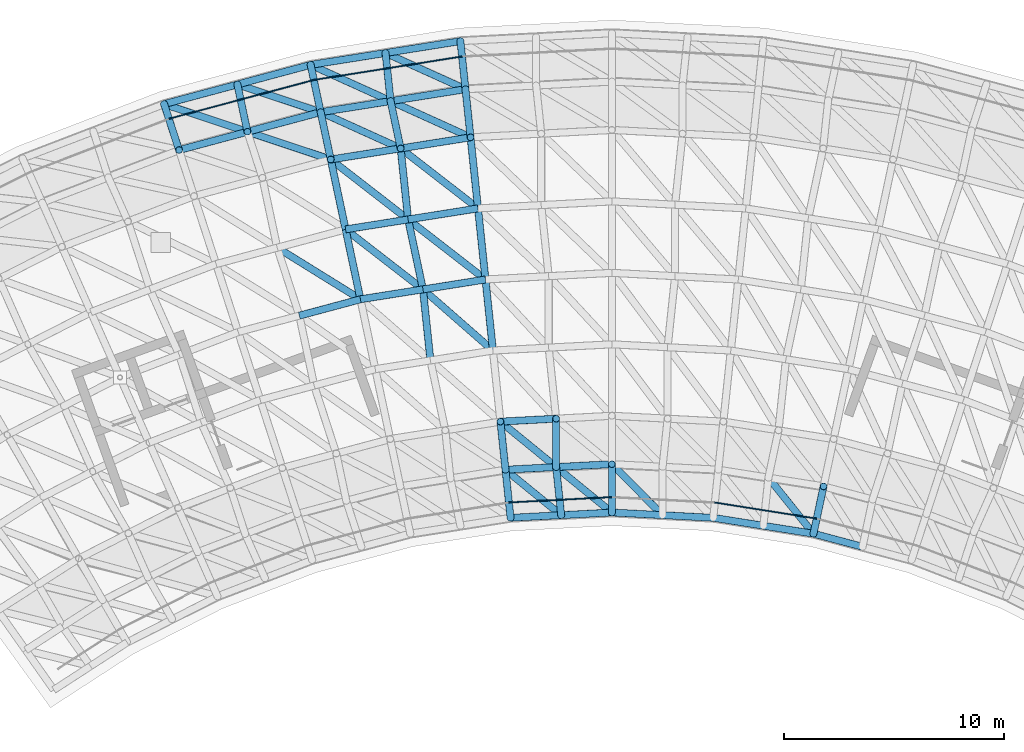
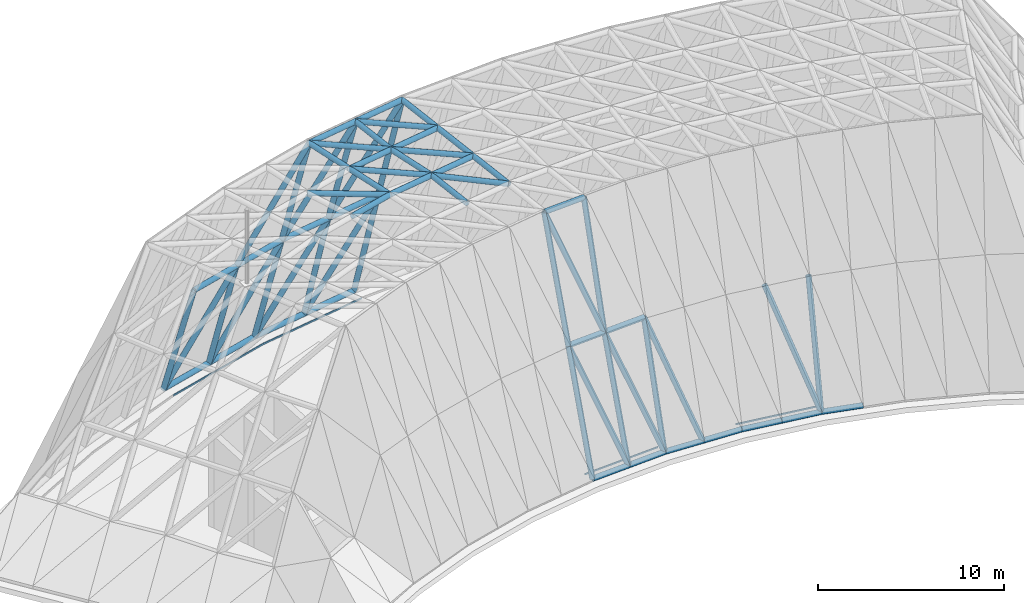
# One storey, part 5 of 20: 69 members.
"""IFC4 building model written with IfcOpenShell, lengths in metres."""

from ifc_helpers import new_model, si_unit, direction, frame, origin, origin_2d, place, context, subcontext, project, spatial, rectangle, hollow_circle, extrude, material, material_profile, profile_set, type_object, element, save


model = new_model("IFC4")

# Units and contexts
model_context = context("Model", 3, precision=1e-05, world=origin(), true_north=direction((0.0, 1.0)))
body_context = subcontext(model_context, "Body", "Model", "MODEL_VIEW")
ifc_project = project(units=[si_unit("LENGTHUNIT", "METRE"), si_unit("AREAUNIT", "SQUARE_METRE"), si_unit("VOLUMEUNIT", "CUBIC_METRE"), si_unit("PLANEANGLEUNIT", "RADIAN"), si_unit("MASSUNIT", "GRAM", prefix="KILO")], contexts=[model_context])

# Site, building, storey
site_placement = place(None, origin())
site = spatial("IfcSite", under=ifc_project, at=site_placement, CompositionType="ELEMENT")
building_placement = place(site_placement, origin())
building = spatial("IfcBuilding", under=site, at=building_placement, Name="Stone Belt Terrace Tower", CompositionType="ELEMENT")
storey_placement = place(building_placement, frame((0.0, 0.0, 337.39990234375)))
storey = spatial("IfcBuildingStorey", under=building, at=storey_placement, Name="RF", CompositionType="ELEMENT", Elevation=337.39990234375)

# Members
ifc_material_1 = material(Name="Structural steel C345", Category="steel")
ifc_material_profile_1 = material_profile(ifc_material_1, hollow_circle(Radius=0.16259765625, WallThickness=0.011962890625, at=origin_2d()), Name="Structural steel C345 CHS 325x12")
ifc_profile_set_1 = profile_set([ifc_material_profile_1], Name="Structural steel C345")
member_type_1 = type_object("IfcMemberType", Name="Crown frame tube CHS 325 x 12", PredefinedType="RAFTER", material=ifc_profile_set_1)
member_1_placement = place(storey_placement, frame((-20.364013671875, 62.673828125, 0.16259765625), z_axis=(0.086961927799, -0.267664065845, 0.959579892958), x_axis=(0.951064242649, 0.30899321409, 0.0)))
element("IfcMember", 1, at=member_1_placement, inside=storey, type_object=member_type_1, Name="CROWN FRAME rafter 132", PredefinedType="RAFTER", context=body_context, shape_type="SweptSolid", body=[
    extrude(hollow_circle(Radius=0.16259765625, WallThickness=0.011962890625, at=origin_2d()), origin(), (0.0, 0.0, 1.0), 7.81591796875),
])
member_2_placement = place(storey_placement, frame((-20.364013671875, 62.673828125, 0.16259765625), z_axis=(0.445929479166, -0.148154674565, 0.88272141246), x_axis=(0.31529200949, 0.94899470428, 0.0)))
element("IfcMember", 2, at=member_2_placement, inside=storey, type_object=member_type_1, Name="CROWN FRAME rafter 134", PredefinedType="RAFTER", context=body_context, shape_type="SweptSolid", body=[
    extrude(hollow_circle(Radius=0.16259765625, WallThickness=0.011962890625, at=origin_2d()), origin(), (0.0, 0.0, 1.0), 8.496337890625),
])
member_3_placement = place(storey_placement, frame((-17.032470703125, 63.56640625, 0.16259765625), z_axis=(0.058506176763, -0.275257036644, 0.959588761428), x_axis=(0.978148693799, 0.207906548285, 0.0)))
element("IfcMember", 3, at=member_3_placement, inside=storey, type_object=member_type_1, Name="CROWN FRAME rafter 176", PredefinedType="RAFTER", context=body_context, shape_type="SweptSolid", body=[
    extrude(hollow_circle(Radius=0.16259765625, WallThickness=0.011962890625, at=origin_2d()), origin(), (0.0, 0.0, 1.0), 7.81591796875),
])
for number, where, z_axis, x_axis, name in (
    (4, (-17.032470703125, 63.56640625, 0.16259765625), (0.445906458231, -0.148156572924, 0.882732723086), (0.315310307363, 0.948988624837, 0.0), "CROWN FRAME rafter 178"),
    (5, (-16.5751953125, 61.4150390625, 7.66259765625), (0.445904559725, -0.148184676795, 0.882728964734), (0.315365379853, 0.948970324715, 0.0), "CROWN FRAME rafter 180"),
):
    element("IfcMember", number, at=place(storey_placement, frame(where, z_axis=z_axis, x_axis=x_axis)), inside=storey, type_object=member_type_1, Name=name, PredefinedType="RAFTER", context=body_context, shape_type="SweptSolid", body=[
        extrude(hollow_circle(Radius=0.16259765625, WallThickness=0.011962890625, at=origin_2d()), origin(), (0.0, 0.0, 1.0), 8.496337890625),
    ])
member_4_placement = place(storey_placement, frame((-13.701171875, 64.459228515625, 0.16259765625), z_axis=(0.058505673699, -0.275285906198, 0.959580510428), x_axis=(0.978153491089, 0.207883976944, 0.0)))
element("IfcMember", 6, at=member_4_placement, inside=storey, type_object=member_type_1, Name="CROWN FRAME rafter 182", PredefinedType="RAFTER", context=body_context, shape_type="SweptSolid", body=[
    extrude(hollow_circle(Radius=0.16259765625, WallThickness=0.011962890625, at=origin_2d()), origin(), (0.0, 0.0, 1.0), 7.81591796875),
])
member_5_placement = place(storey_placement, frame((-13.701171875, 64.459228515625, 0.16259765625), z_axis=(0.427973374245, -0.193987394221, 0.882727410824), x_axis=(0.412839772126, 0.910803668499, 0.0)))
element("IfcMember", 7, at=member_5_placement, inside=storey, type_object=member_type_1, Name="CROWN FRAME rafter 184", PredefinedType="RAFTER", context=body_context, shape_type="SweptSolid", body=[
    extrude(hollow_circle(Radius=0.16259765625, WallThickness=0.011962890625, at=origin_2d()), origin(), (0.0, 0.0, 1.0), 8.496337890625),
])
member_6_placement = place(storey_placement, frame((-13.243896484375, 62.3076171875, 7.66259765625), z_axis=(0.058505673699, -0.275285906198, 0.959580510428), x_axis=(0.978153491089, 0.207883976944, 0.0)))
element("IfcMember", 8, at=member_6_placement, inside=storey, type_object=member_type_1, Name="CROWN FRAME rafter 185", PredefinedType="RAFTER", context=body_context, shape_type="SweptSolid", body=[
    extrude(hollow_circle(Radius=0.16259765625, WallThickness=0.011962890625, at=origin_2d()), origin(), (0.0, 0.0, 1.0), 7.81591796875),
])
member_7_placement = place(storey_placement, frame((-13.243896484375, 62.3076171875, 7.66259765625), z_axis=(0.427999230866, -0.193957355377, 0.88272147514), x_axis=(0.412766048965, 0.910837081383, 0.0)))
element("IfcMember", 9, at=member_7_placement, inside=storey, type_object=member_type_1, Name="CROWN FRAME rafter 187", PredefinedType="RAFTER", context=body_context, shape_type="SweptSolid", body=[
    extrude(hollow_circle(Radius=0.16259765625, WallThickness=0.011962890625, at=origin_2d()), origin(), (0.0, 0.0, 1.0), 8.496337890625),
])
member_8_placement = place(storey_placement, frame((-10.294677734375, 64.99853515625, 0.16259765625), z_axis=(0.029393544043, -0.279879016602, 0.959585199779), x_axis=(0.99453036095, 0.104447887238, 0.0)))
element("IfcMember", 10, at=member_8_placement, inside=storey, type_object=member_type_1, Name="CROWN FRAME rafter 226", PredefinedType="RAFTER", context=body_context, shape_type="SweptSolid", body=[
    extrude(hollow_circle(Radius=0.16259765625, WallThickness=0.011962890625, at=origin_2d()), origin(), (0.0, 0.0, 1.0), 7.81591796875),
])
for number, where, z_axis, x_axis, name in (
    (11, (-10.294677734375, 64.99853515625, 0.16259765625), (0.427975759678, -0.193959740689, 0.882732330959), (0.412789040426, 0.910826661942, 0.0), "CROWN FRAME rafter 228"),
    (12, (-10.06494140625, 62.81103515625, 7.66259765625), (0.427999230866, -0.193957355377, 0.88272147514), (0.412766048965, 0.910837081383, 0.0), "CROWN FRAME rafter 230"),
):
    element("IfcMember", number, at=place(storey_placement, frame(where, z_axis=z_axis, x_axis=x_axis)), inside=storey, type_object=member_type_1, Name=name, PredefinedType="RAFTER", context=body_context, shape_type="SweptSolid", body=[
        extrude(hollow_circle(Radius=0.16259765625, WallThickness=0.011962890625, at=origin_2d()), origin(), (0.0, 0.0, 1.0), 8.496337890625),
    ])
for number, where, z_axis, x_axis, name in (
    (13, (-10.06494140625, 62.81103515625, 7.66259765625), (0.058537306369, -0.275256533469, 0.959587007283), (0.978126114819, 0.208012748431, 0.0), "CROWN FRAME rafter 231"),
    (14, (-6.888427734375, 65.5380859375, 0.16259765625), (0.029424753509, -0.279878759495, 0.959584318267), (0.994518825066, 0.104557671117, 0.0), "CROWN FRAME rafter 232"),
    (15, (-6.658447265625, 63.3505859375, 7.66259765625), (0.029424753509, -0.279878759495, 0.959584318267), (0.994518825066, 0.104557671117, 0.0), "CROWN FRAME rafter 235"),
    (16, (-5.069580078125, 48.234375, 15.16259765625), (0.029424753509, -0.279878759495, -0.959584318267), (0.994518825066, 0.104557671117, 0.0), "CROWN FRAME rafter 263"),
):
    element("IfcMember", number, at=place(storey_placement, frame(where, z_axis=z_axis, x_axis=x_axis)), inside=storey, type_object=member_type_1, Name=name, PredefinedType="RAFTER", context=body_context, shape_type="SweptSolid", body=[
        extrude(hollow_circle(Radius=0.16259765625, WallThickness=0.011962890625, at=origin_2d()), origin(), (0.0, 0.0, 1.0), 7.81591796875),
    ])
member_9_placement = place(storey_placement, frame((-5.069580078125, 48.234375, 15.16259765625), z_axis=(0.309782464824, -0.252612054248, -0.916636228029), x_axis=(0.631968665743, 0.774993939021, 0.0)))
element("IfcMember", 17, at=member_9_placement, inside=storey, type_object=member_type_1, Name="CROWN FRAME rafter 265", PredefinedType="RAFTER", context=body_context, shape_type="SweptSolid", body=[
    extrude(hollow_circle(Radius=0.16259765625, WallThickness=0.011962890625, at=origin_2d()), origin(), (0.0, 0.0, 1.0), 8.18212890625),
])
member_10_placement = place(storey_placement, frame((-4.839599609375, 46.046875, 7.66259765625), z_axis=(0.02939328706, -0.279907805896, -0.959576810304), x_axis=(0.994531571653, 0.104436358545, 0.0)))
element("IfcMember", 18, at=member_10_placement, inside=storey, type_object=member_type_1, Name="CROWN FRAME rafter 271", PredefinedType="RAFTER", context=body_context, shape_type="SweptSolid", body=[
    extrude(hollow_circle(Radius=0.16259765625, WallThickness=0.011962890625, at=origin_2d()), origin(), (0.0, 0.0, 1.0), 7.81591796875),
])
member_11_placement = place(storey_placement, frame((-4.839599609375, 46.046875, 7.66259765625), z_axis=(0.309782464824, -0.252612054248, -0.916636228029), x_axis=(0.631968665743, 0.774993939021, 0.0)))
element("IfcMember", 19, at=member_11_placement, inside=storey, type_object=member_type_1, Name="CROWN FRAME rafter 273", PredefinedType="RAFTER", context=body_context, shape_type="SweptSolid", body=[
    extrude(hollow_circle(Radius=0.16259765625, WallThickness=0.011962890625, at=origin_2d()), origin(), (0.0, 0.0, 1.0), 8.18212890625),
])
member_12_placement = place(storey_placement, frame((-2.534912109375, 48.3671875, 15.16259765625), z_axis=(0.0, -0.281439053934, -0.959579105088), x_axis=(1.0, 0.0, 0.0)))
element("IfcMember", 20, at=member_12_placement, inside=storey, type_object=member_type_1, Name="CROWN FRAME rafter 316", PredefinedType="RAFTER", context=body_context, shape_type="SweptSolid", body=[
    extrude(hollow_circle(Radius=0.16259765625, WallThickness=0.011962890625, at=origin_2d()), origin(), (0.0, 0.0, 1.0), 7.81591796875),
])
member_13_placement = place(storey_placement, frame((-2.534912109375, 46.16748046875, 7.66259765625), z_axis=(0.309811774468, -0.252581784732, -0.916634663551), x_axis=(0.63188726805, 0.775060307639, 0.0)))
element("IfcMember", 21, at=member_13_placement, inside=storey, type_object=member_type_1, Name="CROWN FRAME rafter 319", PredefinedType="RAFTER", context=body_context, shape_type="SweptSolid", body=[
    extrude(hollow_circle(Radius=0.16259765625, WallThickness=0.011962890625, at=origin_2d()), origin(), (0.0, 0.0, 1.0), 8.18212890625),
])
for number, where, z_axis, x_axis, name in (
    (22, (-2.534912109375, 46.16748046875, 7.66259765625), (0.029424753509, -0.279878759495, -0.959584318267), (0.994518825066, 0.104557671117, 0.0), "CROWN FRAME rafter 320"),
    (23, (0.0, 46.30029296875, 7.66259765625), (0.0, -0.281410291418, -0.959587540501), (1.0, 0.0, 0.0), "CROWN FRAME rafter 321"),
):
    element("IfcMember", number, at=place(storey_placement, frame(where, z_axis=z_axis, x_axis=x_axis)), inside=storey, type_object=member_type_1, Name=name, PredefinedType="RAFTER", context=body_context, shape_type="SweptSolid", body=[
        extrude(hollow_circle(Radius=0.16259765625, WallThickness=0.011962890625, at=origin_2d()), origin(), (0.0, 0.0, 1.0), 7.81591796875),
    ])
for number, where, z_axis, x_axis, name in (
    (24, (0.0, 46.30029296875, 7.66259765625), (0.281704585768, -0.283584406646, -0.916636465926), (0.709454282462, 0.704751460514, 0.0), "CROWN FRAME rafter 323"),
    (25, (7.119384765625, 45.685791015625, 7.66259765625), (0.250522644816, -0.311482359366, -0.91663359323), (0.779234847809, 0.626732041594, 0.0), "CROWN FRAME rafter 419"),
):
    element("IfcMember", number, at=place(storey_placement, frame(where, z_axis=z_axis, x_axis=x_axis)), inside=storey, type_object=member_type_1, Name=name, PredefinedType="RAFTER", context=body_context, shape_type="SweptSolid", body=[
        extrude(hollow_circle(Radius=0.16259765625, WallThickness=0.011962890625, at=origin_2d()), origin(), (0.0, 0.0, 1.0), 8.18212890625),
    ])
member_14_placement = place(storey_placement, frame((9.62646484375, 45.28857421875, 7.66259765625), z_axis=(-0.058506176763, -0.275257036644, -0.959588761428), x_axis=(0.978148693799, -0.207906548285, 0.0)))
element("IfcMember", 26, at=member_14_placement, inside=storey, type_object=member_type_1, Name="CROWN FRAME rafter 421", PredefinedType="RAFTER", context=body_context, shape_type="SweptSolid", body=[
    extrude(hollow_circle(Radius=0.16259765625, WallThickness=0.011962890625, at=origin_2d()), origin(), (0.0, 0.0, 1.0), 7.81591796875),
])
ifc_material_profile_2 = material_profile(ifc_material_1, hollow_circle(Radius=0.16259765625, WallThickness=0.011962890625, at=origin_2d()), Name="Structural steel C345 CHS 325x12")
ifc_profile_set_2 = profile_set([ifc_material_profile_2], Name="Structural steel C345")
member_type_2 = type_object("IfcMemberType", Name="Crown ring and ridge tube CHS 325 x 12", PredefinedType="CHORD", material=ifc_profile_set_2)
member_15_placement = place(storey_placement, frame((-20.364013671875, 62.673828125, 0.16259765625), z_axis=(0.965933518078, 0.258790337249, 0.0), x_axis=(-0.258790337249, 0.965933518078, 0.0)))
element("IfcMember", 27, at=member_15_placement, inside=storey, type_object=member_type_2, Name="CROWN FRAME ring beam 133", PredefinedType="CHORD", context=body_context, shape_type="SweptSolid", body=[
    extrude(hollow_circle(Radius=0.16259765625, WallThickness=0.011962890625, at=origin_2d()), origin(), (0.0, 0.0, 1.0), 3.448974609375),
])
member_16_placement = place(storey_placement, frame((-19.684326171875, 60.581787109375, 7.66259765625), z_axis=(0.965913176975, 0.258866248372, 0.0), x_axis=(-0.258866248372, 0.965913176975, 0.0)))
element("IfcMember", 28, at=member_16_placement, inside=storey, type_object=member_type_2, Name="CROWN FRAME cap beam 136", PredefinedType="CHORD", context=body_context, shape_type="SweptSolid", body=[
    extrude(hollow_circle(Radius=0.16259765625, WallThickness=0.011962890625, at=origin_2d()), origin(), (0.0, 0.0, 1.0), 3.21875),
])
member_17_placement = place(storey_placement, frame((-17.032470703125, 63.56640625, 0.16259765625), z_axis=(0.96591107822, 0.258874079373, 0.0), x_axis=(-0.258874079373, 0.96591107822, 0.0)))
element("IfcMember", 29, at=member_17_placement, inside=storey, type_object=member_type_2, Name="CROWN FRAME ring beam 177", PredefinedType="CHORD", context=body_context, shape_type="SweptSolid", body=[
    extrude(hollow_circle(Radius=0.16259765625, WallThickness=0.011962890625, at=origin_2d()), origin(), (0.0, 0.0, 1.0), 3.448974609375),
])
member_18_placement = place(storey_placement, frame((-16.5751953125, 61.4150390625, 7.66259765625), z_axis=(0.965928776941, 0.258808032869, 0.0), x_axis=(-0.258808032869, 0.965928776941, 0.0)))
element("IfcMember", 30, at=member_18_placement, inside=storey, type_object=member_type_2, Name="CROWN FRAME cap beam 179", PredefinedType="CHORD", context=body_context, shape_type="SweptSolid", body=[
    extrude(hollow_circle(Radius=0.16259765625, WallThickness=0.011962890625, at=origin_2d()), origin(), (0.0, 0.0, 1.0), 3.44873046875),
])
member_19_placement = place(storey_placement, frame((-13.701171875, 64.459228515625, 0.16259765625), z_axis=(0.987698598685, 0.156369684261, 0.0), x_axis=(-0.156369684261, 0.987698598685, 0.0)))
element("IfcMember", 31, at=member_19_placement, inside=storey, type_object=member_type_2, Name="CROWN FRAME ring beam 183", PredefinedType="CHORD", context=body_context, shape_type="SweptSolid", body=[
    extrude(hollow_circle(Radius=0.16259765625, WallThickness=0.011962890625, at=origin_2d()), origin(), (0.0, 0.0, 1.0), 3.448974609375),
])
member_20_placement = place(storey_placement, frame((-13.243896484375, 62.3076171875, 7.66259765625), z_axis=(0.987692135228, 0.156410504788, 0.0), x_axis=(-0.156410504788, 0.987692135228, 0.0)))
element("IfcMember", 32, at=member_20_placement, inside=storey, type_object=member_type_2, Name="CROWN FRAME cap beam 186", PredefinedType="CHORD", context=body_context, shape_type="SweptSolid", body=[
    extrude(hollow_circle(Radius=0.16259765625, WallThickness=0.011962890625, at=origin_2d()), origin(), (0.0, 0.0, 1.0), 3.218505859375),
])
member_21_placement = place(storey_placement, frame((-12.78662109375, 60.156005859375, 15.16259765625), z_axis=(0.207933325345, -0.978143001923, 0.0), x_axis=(0.978143001923, 0.207933325345, 0.0)))
element("IfcMember", 33, at=member_21_placement, inside=storey, type_object=member_type_2, Name="CROWN FRAME cap beam 189", PredefinedType="CHORD", context=body_context, shape_type="SweptSolid", body=[
    extrude(hollow_circle(Radius=0.16259765625, WallThickness=0.011962890625, at=origin_2d()), origin(), (0.0, 0.0, 1.0), 3.25),
])
member_22_placement = place(storey_placement, frame((-12.78662109375, 60.156005859375, 15.16259765625), z_axis=(0.987682271522, 0.156472778847, 0.0), x_axis=(-0.156472778847, 0.987682271522, 0.0)))
element("IfcMember", 34, at=member_22_placement, inside=storey, type_object=member_type_2, Name="CROWN FRAME cap beam 190", PredefinedType="CHORD", context=body_context, shape_type="SweptSolid", body=[
    extrude(hollow_circle(Radius=0.16259765625, WallThickness=0.011962890625, at=origin_2d()), origin(), (0.0, 0.0, 1.0), 3.21875),
])
member_23_placement = place(storey_placement, frame((-12.78662109375, 60.156005859375, 15.16259765625), z_axis=(0.79025773115, -0.612774606489, 0.0), x_axis=(0.612774606489, 0.79025773115, 0.0)))
element("IfcMember", 35, at=member_23_placement, inside=storey, type_object=member_type_2, Name="CROWN FRAME cap beam 191", PredefinedType="CHORD", context=body_context, shape_type="SweptSolid", body=[
    extrude(hollow_circle(Radius=0.16259765625, WallThickness=0.011962890625, at=origin_2d()), origin(), (0.0, 0.0, 1.0), 4.45263671875),
])
member_24_placement = place(storey_placement, frame((-15.2197265625, 56.14404296875, 15.16259765625), z_axis=(0.849957690249, -0.526850951206, 0.0), x_axis=(0.526850951206, 0.849957690249, 0.0)))
element("IfcMember", 36, at=member_24_placement, inside=storey, type_object=member_type_2, Name="CROWN FRAME cap beam 195", PredefinedType="CHORD", context=body_context, shape_type="SweptSolid", body=[
    extrude(hollow_circle(Radius=0.16259765625, WallThickness=0.011962890625, at=origin_2d()), origin(), (0.0, 0.0, 1.0), 4.452880859375),
])
member_25_placement = place(storey_placement, frame((-12.11083984375, 56.97705078125, 15.16259765625), z_axis=(0.207933325345, -0.978143001923, 0.0), x_axis=(0.978143001923, 0.207933325345, 0.0)))
element("IfcMember", 37, at=member_25_placement, inside=storey, type_object=member_type_2, Name="CROWN FRAME cap beam 197", PredefinedType="CHORD", context=body_context, shape_type="SweptSolid", body=[
    extrude(hollow_circle(Radius=0.16259765625, WallThickness=0.011962890625, at=origin_2d()), origin(), (0.0, 0.0, 1.0), 3.25),
])
member_26_placement = place(storey_placement, frame((-12.11083984375, 56.97705078125, 15.16259765625), z_axis=(0.987680303549, 0.156485200519, 0.0), x_axis=(-0.156485200519, 0.987680303549, 0.0)))
element("IfcMember", 38, at=member_26_placement, inside=storey, type_object=member_type_2, Name="CROWN FRAME cap beam 198", PredefinedType="CHORD", context=body_context, shape_type="SweptSolid", body=[
    extrude(hollow_circle(Radius=0.16259765625, WallThickness=0.011962890625, at=origin_2d()), origin(), (0.0, 0.0, 1.0), 2.87841796875),
])
member_27_placement = place(storey_placement, frame((-12.11083984375, 56.97705078125, 15.16259765625), z_axis=(0.790231180117, -0.612808846192, 0.0), x_axis=(0.612808846192, 0.790231180117, 0.0)))
element("IfcMember", 39, at=member_27_placement, inside=storey, type_object=member_type_2, Name="CROWN FRAME cap beam 199", PredefinedType="CHORD", context=body_context, shape_type="SweptSolid", body=[
    extrude(hollow_circle(Radius=0.16259765625, WallThickness=0.011962890625, at=origin_2d()), origin(), (0.0, 0.0, 1.0), 4.452880859375),
])
member_28_placement = place(storey_placement, frame((-11.43505859375, 53.798095703125, 15.16259765625), z_axis=(-0.965940102155, -0.258765760969, 0.0), x_axis=(0.258765760969, -0.965940102155, 0.0)))
element("IfcMember", 40, at=member_28_placement, inside=storey, type_object=member_type_2, Name="CROWN FRAME cap beam 200", PredefinedType="CHORD", context=body_context, shape_type="SweptSolid", body=[
    extrude(hollow_circle(Radius=0.16259765625, WallThickness=0.011962890625, at=origin_2d()), origin(), (0.0, 0.0, 1.0), 2.878662109375),
])
member_29_placement = place(storey_placement, frame((-11.43505859375, 53.798095703125, 15.16259765625), z_axis=(0.987693409167, 0.156402459983, 0.0), x_axis=(-0.156402459983, 0.987693409167, 0.0)))
element("IfcMember", 41, at=member_29_placement, inside=storey, type_object=member_type_2, Name="CROWN FRAME cap beam 202", PredefinedType="CHORD", context=body_context, shape_type="SweptSolid", body=[
    extrude(hollow_circle(Radius=0.16259765625, WallThickness=0.011962890625, at=origin_2d()), origin(), (0.0, 0.0, 1.0), 2.87841796875),
])
member_30_placement = place(storey_placement, frame((-10.294677734375, 64.99853515625, 0.16259765625), z_axis=(0.987685930979, 0.156449678001, 0.0), x_axis=(-0.156449678001, 0.987685930979, 0.0)))
element("IfcMember", 42, at=member_30_placement, inside=storey, type_object=member_type_2, Name="CROWN FRAME ring beam 227", PredefinedType="CHORD", context=body_context, shape_type="SweptSolid", body=[
    extrude(hollow_circle(Radius=0.16259765625, WallThickness=0.011962890625, at=origin_2d()), origin(), (0.0, 0.0, 1.0), 3.44873046875),
])
member_31_placement = place(storey_placement, frame((-10.06494140625, 62.81103515625, 7.66259765625), z_axis=(0.987687663531, 0.156438739798, 0.0), x_axis=(-0.156438739798, 0.987687663531, 0.0)))
element("IfcMember", 43, at=member_31_placement, inside=storey, type_object=member_type_2, Name="CROWN FRAME cap beam 229", PredefinedType="CHORD", context=body_context, shape_type="SweptSolid", body=[
    extrude(hollow_circle(Radius=0.16259765625, WallThickness=0.011962890625, at=origin_2d()), origin(), (0.0, 0.0, 1.0), 3.448974609375),
])
member_32_placement = place(storey_placement, frame((-6.428466796875, 61.1630859375, 15.16259765625), z_axis=(-0.987692135228, -0.156410504788, 0.0), x_axis=(0.156410504788, -0.987692135228, 0.0)))
element("IfcMember", 44, at=member_32_placement, inside=storey, type_object=member_type_2, Name="CROWN FRAME cap beam 238", PredefinedType="CHORD", context=body_context, shape_type="SweptSolid", body=[
    extrude(hollow_circle(Radius=0.16259765625, WallThickness=0.011962890625, at=origin_2d()), origin(), (0.0, 0.0, 1.0), 3.218505859375),
])
for number, where, z_axis, x_axis, name in (
    (45, (-6.428466796875, 61.1630859375, 15.16259765625), (0.104493172826, -0.99452560391, 0.0), (0.99452560391, 0.104493172826, 0.0), "CROWN FRAME cap beam 239"),
    (46, (-9.607421875, 60.65966796875, 15.16259765625), (0.104493172826, -0.99452560391, 0.0), (0.99452560391, 0.104493172826, 0.0), "CROWN FRAME cap beam 242"),
):
    element("IfcMember", number, at=place(storey_placement, frame(where, z_axis=z_axis, x_axis=x_axis)), inside=storey, type_object=member_type_2, Name=name, PredefinedType="CHORD", context=body_context, shape_type="SweptSolid", body=[
        extrude(hollow_circle(Radius=0.16259765625, WallThickness=0.011962890625, at=origin_2d()), origin(), (0.0, 0.0, 1.0), 3.25),
    ])
member_33_placement = place(storey_placement, frame((-9.607421875, 60.65966796875, 15.16259765625), z_axis=(0.790210589088, -0.612835397879, 0.0), x_axis=(0.612835397879, 0.790210589088, 0.0)))
element("IfcMember", 47, at=member_33_placement, inside=storey, type_object=member_type_2, Name="CROWN FRAME cap beam 243", PredefinedType="CHORD", context=body_context, shape_type="SweptSolid", body=[
    extrude(hollow_circle(Radius=0.16259765625, WallThickness=0.011962890625, at=origin_2d()), origin(), (0.0, 0.0, 1.0), 4.45263671875),
])
member_34_placement = place(storey_placement, frame((-9.267822265625, 57.427490234375, 15.16259765625), z_axis=(0.987692135228, 0.156410504788, 0.0), x_axis=(-0.156410504788, 0.987692135228, 0.0)))
element("IfcMember", 48, at=member_34_placement, inside=storey, type_object=member_type_2, Name="CROWN FRAME cap beam 244", PredefinedType="CHORD", context=body_context, shape_type="SweptSolid", body=[
    extrude(hollow_circle(Radius=0.16259765625, WallThickness=0.011962890625, at=origin_2d()), origin(), (0.0, 0.0, 1.0), 3.218505859375),
])
member_35_placement = place(storey_placement, frame((-9.267822265625, 57.427490234375, 15.16259765625), z_axis=(0.790231180117, -0.612808846192, 0.0), x_axis=(0.612808846192, 0.790231180117, 0.0)))
element("IfcMember", 49, at=member_35_placement, inside=storey, type_object=member_type_2, Name="CROWN FRAME cap beam 245", PredefinedType="CHORD", context=body_context, shape_type="SweptSolid", body=[
    extrude(hollow_circle(Radius=0.16259765625, WallThickness=0.011962890625, at=origin_2d()), origin(), (0.0, 0.0, 1.0), 4.452880859375),
])
member_36_placement = place(storey_placement, frame((-9.267822265625, 57.427490234375, 15.16259765625), z_axis=(0.207918047811, -0.978146249492, 0.0), x_axis=(0.978146249492, 0.207918047811, 0.0)))
element("IfcMember", 50, at=member_36_placement, inside=storey, type_object=member_type_2, Name="CROWN FRAME cap beam 246", PredefinedType="CHORD", context=body_context, shape_type="SweptSolid", body=[
    extrude(hollow_circle(Radius=0.16259765625, WallThickness=0.011962890625, at=origin_2d()), origin(), (0.0, 0.0, 1.0), 3.250244140625),
])
member_37_placement = place(storey_placement, frame((-6.0888671875, 57.930908203125, 15.16259765625), z_axis=(0.104567472619, -0.994517794547, 0.0), x_axis=(0.994517794547, 0.104567472619, 0.0)))
element("IfcMember", 51, at=member_37_placement, inside=storey, type_object=member_type_2, Name="CROWN FRAME cap beam 247", PredefinedType="CHORD", context=body_context, shape_type="SweptSolid", body=[
    extrude(hollow_circle(Radius=0.16259765625, WallThickness=0.011962890625, at=origin_2d()), origin(), (0.0, 0.0, 1.0), 3.25),
])
member_38_placement = place(storey_placement, frame((-5.7490234375, 54.69873046875, 15.16259765625), z_axis=(-0.987680303549, -0.156485200519, 0.0), x_axis=(0.156485200519, -0.987680303549, 0.0)))
element("IfcMember", 52, at=member_38_placement, inside=storey, type_object=member_type_2, Name="CROWN FRAME cap beam 250", PredefinedType="CHORD", context=body_context, shape_type="SweptSolid", body=[
    extrude(hollow_circle(Radius=0.16259765625, WallThickness=0.011962890625, at=origin_2d()), origin(), (0.0, 0.0, 1.0), 2.87841796875),
])
for number, where, z_axis, x_axis, name in (
    (53, (-5.7490234375, 54.69873046875, 15.16259765625), (0.104493172826, -0.99452560391, 0.0), (0.99452560391, 0.104493172826, 0.0), "CROWN FRAME cap beam 251"),
    (54, (-8.592041015625, 54.248291015625, 15.16259765625), (0.104493172826, -0.99452560391, 0.0), (0.99452560391, 0.104493172826, 0.0), "CROWN FRAME cap beam 254"),
):
    element("IfcMember", number, at=place(storey_placement, frame(where, z_axis=z_axis, x_axis=x_axis)), inside=storey, type_object=member_type_2, Name=name, PredefinedType="CHORD", context=body_context, shape_type="SweptSolid", body=[
        extrude(hollow_circle(Radius=0.16259765625, WallThickness=0.011962890625, at=origin_2d()), origin(), (0.0, 0.0, 1.0), 3.25),
    ])
member_39_placement = place(storey_placement, frame((-8.592041015625, 54.248291015625, 15.16259765625), z_axis=(0.752934377057, -0.65809560388, 0.0), x_axis=(0.65809560388, 0.752934377057, 0.0)))
element("IfcMember", 55, at=member_39_placement, inside=storey, type_object=member_type_2, Name="CROWN FRAME cap beam 255", PredefinedType="CHORD", context=body_context, shape_type="SweptSolid", body=[
    extrude(hollow_circle(Radius=0.16259765625, WallThickness=0.011962890625, at=origin_2d()), origin(), (0.0, 0.0, 1.0), 4.22705078125),
])
member_40_placement = place(storey_placement, frame((-5.069580078125, 48.234375, 15.16259765625), z_axis=(0.998630025189, 0.052326597351, 0.0), x_axis=(-0.052326597351, 0.998630025189, 0.0)))
element("IfcMember", 56, at=member_40_placement, inside=storey, type_object=member_type_2, Name="CROWN FRAME cap beam 264", PredefinedType="CHORD", context=body_context, shape_type="SweptSolid", body=[
    extrude(hollow_circle(Radius=0.16259765625, WallThickness=0.011962890625, at=origin_2d()), origin(), (0.0, 0.0, 1.0), 2.5380859375),
])
member_41_placement = place(storey_placement, frame((-4.839599609375, 46.046875, 7.66259765625), z_axis=(0.998633564771, 0.052259002224, 0.0), x_axis=(-0.052259002224, 0.998633564771, 0.0)))
element("IfcMember", 57, at=member_41_placement, inside=storey, type_object=member_type_2, Name="CROWN FRAME cap beam 272", PredefinedType="CHORD", context=body_context, shape_type="SweptSolid", body=[
    extrude(hollow_circle(Radius=0.16259765625, WallThickness=0.011962890625, at=origin_2d()), origin(), (0.0, 0.0, 1.0), 2.307861328125),
])
member_42_placement = place(storey_placement, frame((-4.60986328125, 43.859130859375, 0.16259765625), z_axis=(0.998628328462, 0.052358968604, 0.0), x_axis=(-0.052358968604, 0.998628328462, 0.0)))
element("IfcMember", 58, at=member_42_placement, inside=storey, type_object=member_type_2, Name="CROWN FRAME ring beam 275", PredefinedType="CHORD", context=body_context, shape_type="SweptSolid", body=[
    extrude(hollow_circle(Radius=0.16259765625, WallThickness=0.011962890625, at=origin_2d()), origin(), (0.0, 0.0, 1.0), 2.30810546875),
])
member_43_placement = place(storey_placement, frame((-2.534912109375, 46.16748046875, 7.66259765625), z_axis=(0.998630288523, 0.052321571507, 0.0), x_axis=(-0.052321571507, 0.998630288523, 0.0)))
element("IfcMember", 59, at=member_43_placement, inside=storey, type_object=member_type_2, Name="CROWN FRAME cap beam 318", PredefinedType="CHORD", context=body_context, shape_type="SweptSolid", body=[
    extrude(hollow_circle(Radius=0.16259765625, WallThickness=0.011962890625, at=origin_2d()), origin(), (0.0, 0.0, 1.0), 2.538330078125),
])
for number, where, z_axis, x_axis, name in (
    (60, (0.0, 44.100830078125, 0.16259765625), (-0.998628328462, -0.052358968604, 0.0), (0.052358968604, -0.998628328462, 0.0), "CROWN FRAME ring beam 324"),
    (61, (0.0, 44.100830078125, 0.16259765625), (0.998628328462, -0.052358968604, 0.0), (0.052358968604, 0.998628328462, 0.0), "CROWN FRAME ring beam 325"),
    (62, (4.60986328125, 43.859130859375, 0.16259765625), (-0.998628328462, 0.052358968604, 0.0), (-0.052358968604, -0.998628328462, 0.0), "CROWN FRAME ring beam 374"),
):
    element("IfcMember", number, at=place(storey_placement, frame(where, z_axis=z_axis, x_axis=x_axis)), inside=storey, type_object=member_type_2, Name=name, PredefinedType="CHORD", context=body_context, shape_type="SweptSolid", body=[
        extrude(hollow_circle(Radius=0.16259765625, WallThickness=0.011962890625, at=origin_2d()), origin(), (0.0, 0.0, 1.0), 2.30810546875),
    ])
member_44_placement = place(storey_placement, frame((4.60986328125, 43.859130859375, 0.16259765625), z_axis=(0.987701992955, -0.156348243075, 0.0), x_axis=(0.156348243075, 0.987701992955, 0.0)))
element("IfcMember", 63, at=member_44_placement, inside=storey, type_object=member_type_2, Name="CROWN FRAME ring beam 375", PredefinedType="CHORD", context=body_context, shape_type="SweptSolid", body=[
    extrude(hollow_circle(Radius=0.16259765625, WallThickness=0.011962890625, at=origin_2d()), origin(), (0.0, 0.0, 1.0), 2.307861328125),
])
member_45_placement = place(storey_placement, frame((9.169189453125, 43.13720703125, 0.16259765625), z_axis=(-0.987688240967, 0.156435094066, 0.0), x_axis=(-0.156435094066, -0.987688240967, 0.0)))
element("IfcMember", 64, at=member_45_placement, inside=storey, type_object=member_type_2, Name="CROWN FRAME ring beam 424", PredefinedType="CHORD", context=body_context, shape_type="SweptSolid", body=[
    extrude(hollow_circle(Radius=0.16259765625, WallThickness=0.011962890625, at=origin_2d()), origin(), (0.0, 0.0, 1.0), 2.30810546875),
])
member_46_placement = place(storey_placement, frame((9.169189453125, 43.13720703125, 0.16259765625), z_axis=(0.96591641286, -0.258854173942, 0.0), x_axis=(0.258854173942, 0.96591641286, 0.0)))
element("IfcMember", 65, at=member_46_placement, inside=storey, type_object=member_type_2, Name="CROWN FRAME ring beam 425", PredefinedType="CHORD", context=body_context, shape_type="SweptSolid", body=[
    extrude(hollow_circle(Radius=0.16259765625, WallThickness=0.011962890625, at=origin_2d()), origin(), (0.0, 0.0, 1.0), 2.307861328125),
])
ifc_material_2 = material(Name="Stainless steel AISI 304", Category="steel")
ifc_material_profile_3 = material_profile(ifc_material_2, rectangle(XDim=0.050048828125, YDim=0.10009765625, at=origin_2d()), Name="Stainless steel AISI 304 100x50")
ifc_profile_set_3 = profile_set([ifc_material_profile_3], Name="Stainless steel AISI 304")
member_type_3 = type_object("IfcMemberType", Name="Snow retention bar 100 x 50", PredefinedType="MEMBER", material=ifc_profile_set_3)
member_47_placement = place(storey_placement, frame((-20.1474609375, 62.007080078125, 0.050048828125), z_axis=(0.965924897463, 0.258822511505, 0.0), x_axis=(-0.258822511505, 0.965924897463, 0.0)))
element("IfcMember", 66, at=member_47_placement, inside=storey, type_object=member_type_3, Name="SNOW GUARD retention bar outer 4", PredefinedType="MEMBER", context=body_context, shape_type="SweptSolid", body=[
    extrude(rectangle(XDim=0.050048828125, YDim=0.10009765625, at=origin_2d()), origin(), (0.0, 0.0, 1.0), 6.82470703125),
])
member_48_placement = place(storey_placement, frame((-13.555419921875, 63.7734375, 0.050048828125), z_axis=(0.98768655859, 0.156445715761, 0.0), x_axis=(-0.156445715761, 0.98768655859, 0.0)))
element("IfcMember", 67, at=member_48_placement, inside=storey, type_object=member_type_3, Name="SNOW GUARD retention bar outer 5", PredefinedType="MEMBER", context=body_context, shape_type="SweptSolid", body=[
    extrude(rectangle(XDim=0.050048828125, YDim=0.10009765625, at=origin_2d()), origin(), (0.0, 0.0, 1.0), 6.82421875),
])
for number, where, z_axis, x_axis, name in (
    (68, (-4.68310546875, 44.556396484375, 0.050048828125), (0.998630312887, 0.052321106478, 0.0), (-0.052321106478, 0.998630312887, 0.0), "SNOW GUARD retention bar inner 6"),
    (69, (4.68310546875, 44.556396484375, 0.050048828125), (0.987686017471, -0.156449131965, 0.0), (0.156449131965, 0.987686017471, 0.0), "SNOW GUARD retention bar inner 8"),
):
    element("IfcMember", number, at=place(storey_placement, frame(where, z_axis=z_axis, x_axis=x_axis)), inside=storey, type_object=member_type_3, Name=name, PredefinedType="MEMBER", context=body_context, shape_type="SweptSolid", body=[
        extrude(rectangle(XDim=0.050048828125, YDim=0.10009765625, at=origin_2d()), origin(), (0.0, 0.0, 1.0), 4.689453125),
    ])

save(model, "model.ifc")
